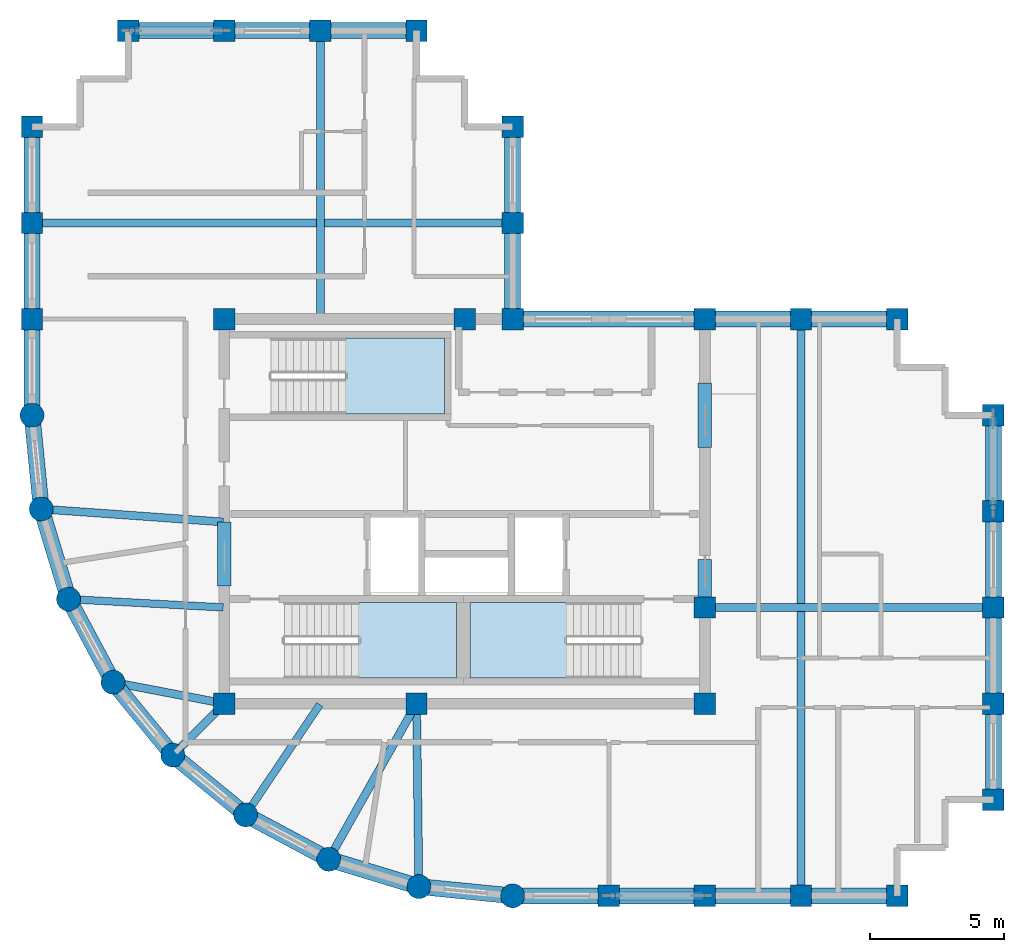
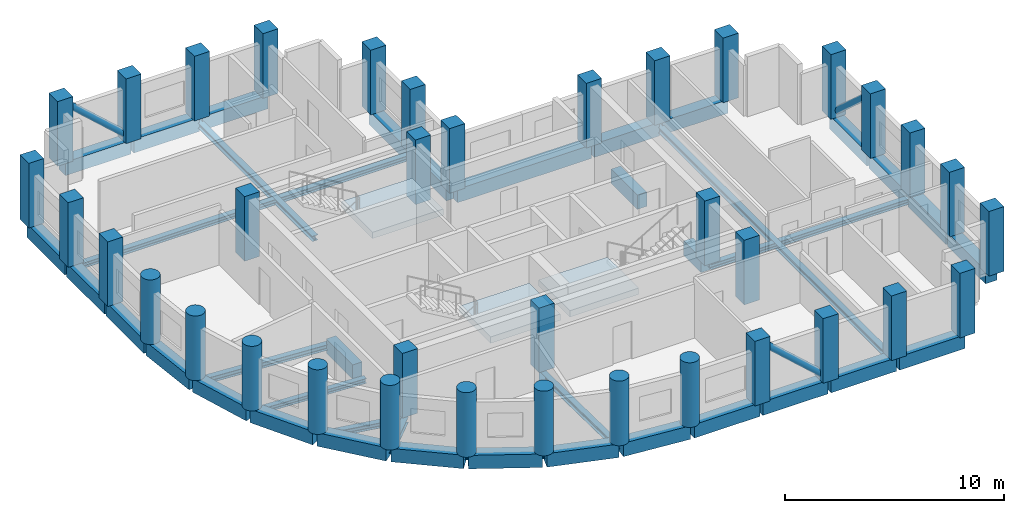
# One storey, part 1 of 6: 41 beams, 37 columns, 3 members, 3 slabs, 3 elements without a shape of their own.
"""IFC4 building model written with IfcOpenShell, lengths in metres."""

from ifc_helpers import new_model, si_unit, direction, frame, origin, origin_2d, place, context, subcontext, project, spatial, polyline, rectangle, circle, hollow_circle, i_section, outline, extrude, material, layer, layer_set, material_profile, profile_set, type_object, element, aggregate, save


model = new_model("IFC4")

# Units and contexts
model_context = context("Model", 3, precision=1e-05, world=origin(), true_north=direction((0.0, 1.0)))
body_context = subcontext(model_context, "Body", "Model", "MODEL_VIEW")
ifc_project = project(units=[si_unit("LENGTHUNIT", "METRE"), si_unit("AREAUNIT", "SQUARE_METRE"), si_unit("VOLUMEUNIT", "CUBIC_METRE"), si_unit("PLANEANGLEUNIT", "RADIAN"), si_unit("MASSUNIT", "GRAM", prefix="KILO")], contexts=[model_context])

# Site, building, storey
site_placement = place(None, origin())
site = spatial("IfcSite", under=ifc_project, at=site_placement, CompositionType="ELEMENT")
building_placement = place(site_placement, origin())
building = spatial("IfcBuilding", under=site, at=building_placement, Name="Solnavia Interchange Tower", CompositionType="ELEMENT")
storey_placement = place(building_placement, frame((0.0, 0.0, 231.800048828125)))
storey = spatial("IfcBuildingStorey", under=building, at=storey_placement, Name="L58", CompositionType="ELEMENT", Elevation=231.800048828125)

# Columns
ifc_material_1 = material(Name="Concrete C50/60", Category="concrete")
ifc_material_profile_1 = material_profile(ifc_material_1, rectangle(XDim=0.800048828125, YDim=0.800048828125, at=origin_2d()), Name="RC 800x800")
ifc_profile_set_1 = profile_set([ifc_material_profile_1], Name="Concrete C50/60")
column_type_1 = type_object("IfcColumnType", Name="Col-RC-800x800", PredefinedType="COLUMN", material=ifc_profile_set_1)
for number, where, z_axis, x_axis, name in (
    (1, (7.199951171875, 25.199951171875, 0.0), (0.0, 0.0, 1.0), (0.0, 1.0, 0.0), "COL-L58-02 Tower perim y column"),
    (2, (7.199951171875, 28.800048828125, 0.0), (0.0, 0.0, 1.0), (0.0, 1.0, 0.0), "COL-L58-03 Tower perim y column"),
    (3, (7.199951171875, 32.39990234375, 0.0), (0.0, 0.0, 1.0), (0.0, 1.0, 0.0), "COL-L58-04 Tower corner column"),
    (4, (10.800048828125, 36.0, 0.0), (0.0, 0.0, 1.0), (1.0, 0.0, 0.0), "COL-L58-08 Tower corner column"),
    (5, (14.39990234375, 10.800048828125, 0.0), (0.0, 0.0, 1.0), (1.0, 0.0, 0.0), "COL-L58-10 Tower interior column"),
    (6, (14.39990234375, 25.199951171875, 0.0), (0.0, 0.0, 1.0), (1.0, 0.0, 0.0), "COL-L58-11 Tower interior column"),
    (7, (14.39990234375, 36.0, 0.0), (0.0, 0.0, 1.0), (1.0, 0.0, 0.0), "COL-L58-12 Tower perim x column"),
    (8, (18.0, 36.0, 0.0), (0.0, 0.0, 1.0), (1.0, 0.0, 0.0), "COL-L58-14 Tower perim x column"),
    (9, (21.60009765625, 10.800048828125, 0.0), (0.0, 0.0, 1.0), (1.0, 0.0, 0.0), "COL-L58-16 Tower interior column"),
    (10, (21.60009765625, 36.0, 0.0), (0.0, 0.0, 1.0), (1.0, 0.0, 0.0), "COL-L58-17 Tower corner column"),
    (11, (23.39990234375, 25.199951171875, 0.0), (0.0, 0.0, 1.0), (1.0, 0.0, 0.0), "COL-L58-19 Tower interior column"),
    (12, (25.199951171875, 25.199951171875, 0.0), (0.0, 0.0, 1.0), (1.0, 0.0, 0.0), "COL-L58-21 Tower interior column"),
    (13, (25.199951171875, 28.800048828125, 0.0), (0.0, 0.0, 1.0), (0.0, 1.0, 0.0), "COL-L58-22 Tower perim y column"),
    (14, (25.199951171875, 32.39990234375, 0.0), (0.0, 0.0, 1.0), (0.0, 1.0, 0.0), "COL-L58-23 Tower corner column"),
    (15, (28.800048828125, 3.60009765625, 0.0), (0.0, 0.0, 1.0), (1.0, 0.0, 0.0), "COL-L58-24 Tower perim x column"),
    (16, (32.39990234375, 3.60009765625, 0.0), (0.0, 0.0, 1.0), (1.0, 0.0, 0.0), "COL-L58-25 Tower perim x column"),
    (17, (32.39990234375, 10.800048828125, 0.0), (0.0, 0.0, 1.0), (1.0, 0.0, 0.0), "COL-L58-26 Tower interior column"),
    (18, (32.39990234375, 14.39990234375, 0.0), (0.0, 0.0, 1.0), (1.0, 0.0, 0.0), "COL-L58-27 Tower interior column"),
    (19, (32.39990234375, 25.199951171875, 0.0), (0.0, 0.0, 1.0), (1.0, 0.0, 0.0), "COL-L58-28 Tower interior column"),
    (20, (36.0, 3.60009765625, 0.0), (0.0, 0.0, 1.0), (1.0, 0.0, 0.0), "COL-L58-29 Tower perim x column"),
    (21, (36.0, 25.199951171875, 0.0), (0.0, 0.0, 1.0), (1.0, 0.0, 0.0), "COL-L58-30 Tower perim x column"),
    (22, (39.60009765625, 3.60009765625, 0.0), (0.0, 0.0, 1.0), (1.0, 0.0, 0.0), "COL-L58-31 Tower corner column"),
    (23, (39.60009765625, 25.199951171875, 0.0), (0.0, 0.0, 1.0), (1.0, 0.0, 0.0), "COL-L58-32 Tower corner column"),
    (24, (43.199951171875, 7.199951171875, 0.0), (0.0, 0.0, 1.0), (1.0, 0.0, 0.0), "COL-L58-33 Tower corner column"),
    (25, (43.199951171875, 10.800048828125, 0.0), (0.0, 0.0, 1.0), (0.0, 1.0, 0.0), "COL-L58-34 Tower perim y column"),
    (26, (43.199951171875, 14.39990234375, 0.0), (0.0, 0.0, 1.0), (0.0, 1.0, 0.0), "COL-L58-35 Tower perim y column"),
    (27, (43.199951171875, 18.0, 0.0), (0.0, 0.0, 1.0), (0.0, 1.0, 0.0), "COL-L58-36 Tower perim y column"),
    (28, (43.199951171875, 21.60009765625, 0.0), (0.0, 0.0, 1.0), (0.0, 1.0, 0.0), "COL-L58-37 Tower corner column"),
):
    element("IfcColumn", number, at=place(storey_placement, frame(where, z_axis=z_axis, x_axis=x_axis)), inside=storey, type_object=column_type_1, Name=name, PredefinedType="COLUMN", context=body_context, shape_type="SweptSolid", body=[
        extrude(rectangle(XDim=0.800048828125, YDim=0.800048828125, at=origin_2d()), origin(), (0.0, 0.0, 1.0), 3.599853515625),
    ])
ifc_material_profile_2 = material_profile(ifc_material_1, circle(Radius=0.449951171875, at=origin_2d()), Name="RC D900")
ifc_profile_set_2 = profile_set([ifc_material_profile_2], Name="Concrete C50/60")
column_type_2 = type_object("IfcColumnType", Name="Col-RC-D900", PredefinedType="COLUMN", material=ifc_profile_set_2)
for number, where, z_axis, x_axis, name in (
    (29, (7.199951171875, 21.60009765625, 0.0), (0.0, 0.0, 1.0), (1.0, 0.0, 0.0), "COL-L58-01 Tower drum column"),
    (30, (7.5458984375, 18.087890625, 0.0), (0.0, 0.0, 1.0), (1.0, 0.0, 0.0), "COL-L58-05 Tower drum column"),
    (31, (8.570068359375, 14.7119140625, 0.0), (0.0, 0.0, 1.0), (1.0, 0.0, 0.0), "COL-L58-06 Tower drum column"),
    (32, (10.23388671875, 11.60009765625, 0.0), (0.0, 0.0, 1.0), (1.0, 0.0, 0.0), "COL-L58-07 Tower drum column"),
    (33, (12.471923828125, 8.8720703125, 0.0), (0.0, 0.0, 1.0), (1.0, 0.0, 0.0), "COL-L58-09 Tower drum column"),
    (34, (15.199951171875, 6.634033203125, 0.0), (0.0, 0.0, 1.0), (1.0, 0.0, 0.0), "COL-L58-13 Tower drum column"),
    (35, (18.31201171875, 4.969970703125, 0.0), (0.0, 0.0, 1.0), (1.0, 0.0, 0.0), "COL-L58-15 Tower drum column"),
    (36, (21.68798828125, 3.946044921875, 0.0), (0.0, 0.0, 1.0), (1.0, 0.0, 0.0), "COL-L58-18 Tower drum column"),
    (37, (25.199951171875, 3.60009765625, 0.0), (0.0, 0.0, 1.0), (1.0, 0.0, 0.0), "COL-L58-20 Tower drum column"),
):
    element("IfcColumn", number, at=place(storey_placement, frame(where, z_axis=z_axis, x_axis=x_axis)), inside=storey, type_object=column_type_2, Name=name, PredefinedType="COLUMN", context=body_context, shape_type="SweptSolid", body=[
        extrude(circle(Radius=0.449951171875, at=origin_2d()), origin(), (0.0, 0.0, 1.0), 3.599853515625),
    ])

# Beams
ifc_material_profile_3 = material_profile(ifc_material_1, rectangle(XDim=0.5, YDim=0.800048828125, at=origin_2d()), Name="RC 500x800")
ifc_profile_set_3 = profile_set([ifc_material_profile_3], Name="Concrete C50/60")
beam_type_1 = type_object("IfcBeamType", Name="Beam-Coupling-RC500x800", PredefinedType="LINTEL", material=ifc_profile_set_3)
beam_1_placement = place(storey_placement, frame((14.39990234375, 15.199951171875, -0.400146484375), z_axis=(0.0, 1.0, 0.0), x_axis=(-1.0, 0.0, 0.0)))
element("IfcBeam", 38, at=beam_1_placement, inside=storey, type_object=beam_type_1, Name="CPB-L58-W1 Core coupling lintel beam", PredefinedType="LINTEL", context=body_context, shape_type="SweptSolid", body=[
    extrude(rectangle(XDim=0.5, YDim=0.800048828125, at=origin_2d()), origin(), (0.0, 0.0, 1.0), 2.400146484375),
])
beam_2_placement = place(storey_placement, frame((32.39990234375, 14.60009765625, -0.400146484375), z_axis=(0.0, 1.0, 0.0), x_axis=(-1.0, 0.0, 0.0)))
element("IfcBeam", 39, at=beam_2_placement, inside=storey, type_object=beam_type_1, Name="CPB-L58-E1 Core coupling lintel beam", PredefinedType="LINTEL", context=body_context, shape_type="SweptSolid", body=[
    extrude(rectangle(XDim=0.5, YDim=0.800048828125, at=origin_2d()), origin(), (0.0, 0.0, 1.0), 1.599853515625),
])
beam_3_placement = place(storey_placement, frame((32.39990234375, 20.39990234375, -0.400146484375), z_axis=(0.0, 1.0, 0.0), x_axis=(-1.0, 0.0, 0.0)))
element("IfcBeam", 40, at=beam_3_placement, inside=storey, type_object=beam_type_1, Name="CPB-L58-E2 Core coupling lintel beam", PredefinedType="LINTEL", context=body_context, shape_type="SweptSolid", body=[
    extrude(rectangle(XDim=0.5, YDim=0.800048828125, at=origin_2d()), origin(), (0.0, 0.0, 1.0), 2.400146484375),
])
ifc_material_2 = material(Name="Steel S460", Category="steel")
ifc_material_profile_4 = material_profile(ifc_material_2, i_section(OverallWidth=0.300048828125, OverallDepth=0.300048828125, WebThickness=0.010986328125, FlangeThickness=0.01904296875, FilletRadius=0.027099609375, at=origin_2d()), Name="HEB 300")
ifc_profile_set_4 = profile_set([ifc_material_profile_4], Name="Steel S460")
beam_type_2 = type_object("IfcBeamType", Name="Beam-Girder-HEB300", PredefinedType="BEAM", material=ifc_profile_set_4)
beam_4_placement = place(storey_placement, frame((32.47998046875, 14.39990234375, -0.400146484375), z_axis=(1.0, 0.0, 0.0), x_axis=(0.0, 1.0, 0.0)))
element("IfcBeam", 41, at=beam_4_placement, inside=storey, type_object=beam_type_2, Name="GRD-L58-ES01 East wing spine girder", PredefinedType="BEAM", context=body_context, shape_type="SweptSolid", body=[
    extrude(i_section(OverallWidth=0.300048828125, OverallDepth=0.300048828125, WebThickness=0.010986328125, FlangeThickness=0.01904296875, FilletRadius=0.027099609375, at=origin_2d()), origin(), (0.0, 0.0, 1.0), 10.64013671875),
])
beam_5_placement = place(storey_placement, frame((18.0, 25.280029296875, -0.400146484375), z_axis=(0.0, 1.0, 0.0), x_axis=(-1.0, 0.0, 0.0)))
element("IfcBeam", 42, at=beam_5_placement, inside=storey, type_object=beam_type_2, Name="GRD-L58-NS03 North wing spine girder", PredefinedType="BEAM", context=body_context, shape_type="SweptSolid", body=[
    extrude(i_section(OverallWidth=0.300048828125, OverallDepth=0.300048828125, WebThickness=0.010986328125, FlangeThickness=0.01904296875, FilletRadius=0.027099609375, at=origin_2d()), origin(), (0.0, 0.0, 1.0), 10.639892578125),
])
beam_6_placement = place(storey_placement, frame((7.280029296875, 28.800048828125, -0.400146484375), z_axis=(1.0, 0.0, 0.0), x_axis=(0.0, 1.0, 0.0)))
element("IfcBeam", 43, at=beam_6_placement, inside=storey, type_object=beam_type_2, Name="GRD-L58-NW04 North wing primary floor girder", PredefinedType="BEAM", context=body_context, shape_type="SweptSolid", body=[
    extrude(i_section(OverallWidth=0.300048828125, OverallDepth=0.300048828125, WebThickness=0.010986328125, FlangeThickness=0.01904296875, FilletRadius=0.027099609375, at=origin_2d()), origin(), (0.0, 0.0, 1.0), 17.840087890625),
])
beam_7_placement = place(storey_placement, frame((10.3125, 11.5849609375, -0.400146484375), z_axis=(0.982057527796, -0.188581579428, 0.0), x_axis=(0.188581579428, 0.982057527796, 0.0)))
element("IfcBeam", 44, at=beam_7_placement, inside=storey, type_object=beam_type_2, Name="GRD-L58-DR07 Drum radial floor girder", PredefinedType="BEAM", context=body_context, shape_type="SweptSolid", body=[
    extrude(i_section(OverallWidth=0.300048828125, OverallDepth=0.300048828125, WebThickness=0.010986328125, FlangeThickness=0.01904296875, FilletRadius=0.027099609375, at=origin_2d()), origin(), (0.0, 0.0, 1.0), 4.1220703125),
])
beam_8_placement = place(storey_placement, frame((18.351318359375, 5.039794921875, -0.400146484375), z_axis=(0.491243158486, 0.871022479182, 0.0), x_axis=(-0.871022479182, 0.491243158486, 0.0)))
element("IfcBeam", 45, at=beam_8_placement, inside=storey, type_object=beam_type_2, Name="GRD-L58-DR10 Drum radial floor girder", PredefinedType="BEAM", context=body_context, shape_type="SweptSolid", body=[
    extrude(i_section(OverallWidth=0.300048828125, OverallDepth=0.300048828125, WebThickness=0.010986328125, FlangeThickness=0.01904296875, FilletRadius=0.027099609375, at=origin_2d()), origin(), (0.0, 0.0, 1.0), 6.5732421875),
])
ifc_material_3 = material(Name="Steel S355", Category="steel")
ifc_material_profile_5 = material_profile(ifc_material_3, i_section(OverallWidth=0.280029296875, OverallDepth=0.27001953125, WebThickness=0.008056640625, FlangeThickness=0.012939453125, FilletRadius=0.02392578125, at=origin_2d()), Name="HEA 280")
ifc_profile_set_5 = profile_set([ifc_material_profile_5], Name="Steel S355")
beam_type_3 = type_object("IfcBeamType", Name="Beam-Primary-HEA280", PredefinedType="BEAM", material=ifc_profile_set_5)
beam_9_placement = place(storey_placement, frame((8.64990234375, 14.707763671875, -0.385009765625), z_axis=(0.998570371303, -0.053452909696, 0.0), x_axis=(0.053452909696, 0.998570371303, 0.0)))
element("IfcBeam", 46, at=beam_9_placement, inside=storey, type_object=beam_type_3, Name="GRD-L58-DR06 Drum radial floor girder", PredefinedType="BEAM", context=body_context, shape_type="SweptSolid", body=[
    extrude(i_section(OverallWidth=0.280029296875, OverallDepth=0.27001953125, WebThickness=0.008056640625, FlangeThickness=0.012939453125, FilletRadius=0.02392578125, at=origin_2d()), origin(), (0.0, 0.0, 1.0), 5.71826171875),
])
beam_10_placement = place(storey_placement, frame((15.24462890625, 6.700439453125, -0.385009765625), z_axis=(0.557835474219, 0.829951555033, 0.0), x_axis=(-0.829951555033, 0.557835474219, 0.0)))
element("IfcBeam", 47, at=beam_10_placement, inside=storey, type_object=beam_type_3, Name="GRD-L58-DR09 Drum radial floor girder", PredefinedType="BEAM", context=body_context, shape_type="SweptSolid", body=[
    extrude(i_section(OverallWidth=0.280029296875, OverallDepth=0.27001953125, WebThickness=0.008056640625, FlangeThickness=0.012939453125, FilletRadius=0.02392578125, at=origin_2d()), origin(), (0.0, 0.0, 1.0), 4.899658203125),
])
ifc_material_profile_6 = material_profile(ifc_material_3, i_section(OverallWidth=0.300048828125, OverallDepth=0.31005859375, WebThickness=0.009033203125, FlangeThickness=0.015380859375, FilletRadius=0.027099609375, at=origin_2d()), Name="HEA 320")
ifc_profile_set_6 = profile_set([ifc_material_profile_6], Name="Steel S355")
beam_type_4 = type_object("IfcBeamType", Name="Beam-Primary-HEA320", PredefinedType="BEAM", material=ifc_profile_set_6)
beam_11_placement = place(storey_placement, frame((36.0, 3.679931640625, -0.405029296875), z_axis=(0.0, 1.0, 0.0), x_axis=(-1.0, 0.0, 0.0)))
element("IfcBeam", 48, at=beam_11_placement, inside=storey, type_object=beam_type_4, Name="GRD-L58-EW02 East wing primary floor girder", PredefinedType="BEAM", context=body_context, shape_type="SweptSolid", body=[
    extrude(i_section(OverallWidth=0.300048828125, OverallDepth=0.31005859375, WebThickness=0.009033203125, FlangeThickness=0.015380859375, FilletRadius=0.027099609375, at=origin_2d()), origin(), (0.0, 0.0, 1.0), 21.440185546875),
])
beam_12_placement = place(storey_placement, frame((7.625732421875, 18.082275390625, -0.405029296875), z_axis=(0.99747482749, -0.071020902015, 0.0), x_axis=(0.071020902015, 0.99747482749, 0.0)))
element("IfcBeam", 49, at=beam_12_placement, inside=storey, type_object=beam_type_4, Name="GRD-L58-DR05 Drum radial floor girder", PredefinedType="BEAM", context=body_context, shape_type="SweptSolid", body=[
    extrude(i_section(OverallWidth=0.300048828125, OverallDepth=0.31005859375, WebThickness=0.009033203125, FlangeThickness=0.015380859375, FilletRadius=0.027099609375, at=origin_2d()), origin(), (0.0, 0.0, 1.0), 6.75146484375),
])
beam_13_placement = place(storey_placement, frame((12.528564453125, 8.9287109375, -0.405029296875), z_axis=(0.707106781187, 0.707106781187, 0.0), x_axis=(-0.707106781187, 0.707106781187, 0.0)))
element("IfcBeam", 50, at=beam_13_placement, inside=storey, type_object=beam_type_4, Name="GRD-L58-DR08 Drum radial floor girder", PredefinedType="BEAM", context=body_context, shape_type="SweptSolid", body=[
    extrude(i_section(OverallWidth=0.300048828125, OverallDepth=0.31005859375, WebThickness=0.009033203125, FlangeThickness=0.015380859375, FilletRadius=0.027099609375, at=origin_2d()), origin(), (0.0, 0.0, 1.0), 2.6064453125),
])
beam_14_placement = place(storey_placement, frame((21.68701171875, 4.02587890625, -0.405029296875), z_axis=(-0.01283293513, 0.999917654498, 0.0), x_axis=(-0.999917654498, -0.01283293513, 0.0)))
element("IfcBeam", 51, at=beam_14_placement, inside=storey, type_object=beam_type_4, Name="GRD-L58-DR11 Drum radial floor girder", PredefinedType="BEAM", context=body_context, shape_type="SweptSolid", body=[
    extrude(i_section(OverallWidth=0.300048828125, OverallDepth=0.31005859375, WebThickness=0.009033203125, FlangeThickness=0.015380859375, FilletRadius=0.027099609375, at=origin_2d()), origin(), (0.0, 0.0, 1.0), 6.734619140625),
])
ifc_material_profile_7 = material_profile(ifc_material_1, rectangle(XDim=0.60009765625, YDim=0.75, at=origin_2d()), Name="RC 600x750")
ifc_profile_set_7 = profile_set([ifc_material_profile_7], Name="Concrete C50/60")
beam_type_5 = type_object("IfcBeamType", Name="Beam-Spandrel-RC600x750", PredefinedType="SPANDREL", material=ifc_profile_set_7)
beam_15_placement = place(storey_placement, frame((7.207763671875, 21.5205078125, -0.375), z_axis=(0.098040038117, -0.995182471171, 0.0), x_axis=(0.995182471171, 0.098040038117, 0.0)))
element("IfcBeam", 52, at=beam_15_placement, inside=storey, type_object=beam_type_5, Name="SPB-L58-01 Framed-tube perimeter spandrel beam", PredefinedType="SPANDREL", context=body_context, shape_type="SweptSolid", body=[
    extrude(rectangle(XDim=0.60009765625, YDim=0.75, at=origin_2d()), origin(), (0.0, 0.0, 1.0), 3.369140625),
])
beam_16_placement = place(storey_placement, frame((7.569091796875, 18.011474609375, -0.375), z_axis=(0.290319223646, -0.956929855518, 0.0), x_axis=(0.956929855518, 0.290319223646, 0.0)))
element("IfcBeam", 53, at=beam_16_placement, inside=storey, type_object=beam_type_5, Name="SPB-L58-02 Framed-tube perimeter spandrel beam", PredefinedType="SPANDREL", context=body_context, shape_type="SweptSolid", body=[
    extrude(rectangle(XDim=0.60009765625, YDim=0.75, at=origin_2d()), origin(), (0.0, 0.0, 1.0), 3.367919921875),
])
beam_17_placement = place(storey_placement, frame((8.607666015625, 14.6416015625, -0.375), z_axis=(0.471509422952, -0.881861023102, 0.0), x_axis=(0.881861023102, 0.471509422952, 0.0)))
element("IfcBeam", 54, at=beam_17_placement, inside=storey, type_object=beam_type_5, Name="SPB-L58-03 Framed-tube perimeter spandrel beam", PredefinedType="SPANDREL", context=body_context, shape_type="SweptSolid", body=[
    extrude(rectangle(XDim=0.60009765625, YDim=0.75, at=origin_2d()), origin(), (0.0, 0.0, 1.0), 3.369140625),
])
for number, where, z_axis, x_axis, name in (
    (55, (10.28466796875, 11.5380859375, -0.375), (0.634298841675, -0.773087950656, 0.0), (0.773087950656, 0.634298841675, 0.0), "SPB-L58-04 Framed-tube perimeter spandrel beam"),
    (56, (12.53369140625, 8.8212890625, -0.375), (0.773152644452, -0.634219984214, 0.0), (0.634219984214, 0.773152644452, 0.0), "SPB-L58-05 Framed-tube perimeter spandrel beam"),
):
    element("IfcBeam", number, at=place(storey_placement, frame(where, z_axis=z_axis, x_axis=x_axis)), inside=storey, type_object=beam_type_5, Name=name, PredefinedType="SPANDREL", context=body_context, shape_type="SweptSolid", body=[
        extrude(rectangle(XDim=0.60009765625, YDim=0.75, at=origin_2d()), origin(), (0.0, 0.0, 1.0), 3.36865234375),
    ])
beam_18_placement = place(storey_placement, frame((15.2705078125, 6.59619140625, -0.375), z_axis=(0.881875044348, -0.47148319817, 0.0), x_axis=(0.47148319817, 0.881875044348, 0.0)))
element("IfcBeam", 57, at=beam_18_placement, inside=storey, type_object=beam_type_5, Name="SPB-L58-06 Framed-tube perimeter spandrel beam", PredefinedType="SPANDREL", context=body_context, shape_type="SweptSolid", body=[
    extrude(rectangle(XDim=0.60009765625, YDim=0.75, at=origin_2d()), origin(), (0.0, 0.0, 1.0), 3.368896484375),
])
beam_19_placement = place(storey_placement, frame((18.388671875, 4.94677734375, -0.375), z_axis=(0.956943884494, -0.290272978297, 0.0), x_axis=(0.290272978297, 0.956943884494, 0.0)))
element("IfcBeam", 58, at=beam_19_placement, inside=storey, type_object=beam_type_5, Name="SPB-L58-07 Framed-tube perimeter spandrel beam", PredefinedType="SPANDREL", context=body_context, shape_type="SweptSolid", body=[
    extrude(rectangle(XDim=0.60009765625, YDim=0.75, at=origin_2d()), origin(), (0.0, 0.0, 1.0), 3.36767578125),
])
beam_20_placement = place(storey_placement, frame((21.767578125, 3.938232421875, -0.375), z_axis=(0.995181774609, -0.098047108501, 0.0), x_axis=(0.098047108501, 0.995181774609, 0.0)))
element("IfcBeam", 59, at=beam_20_placement, inside=storey, type_object=beam_type_5, Name="SPB-L58-08 Framed-tube perimeter spandrel beam", PredefinedType="SPANDREL", context=body_context, shape_type="SweptSolid", body=[
    extrude(rectangle(XDim=0.60009765625, YDim=0.75, at=origin_2d()), origin(), (0.0, 0.0, 1.0), 3.368896484375),
])
beam_21_placement = place(storey_placement, frame((25.280029296875, 3.60009765625, -0.375), z_axis=(1.0, 0.0, 0.0), x_axis=(0.0, 1.0, 0.0)))
element("IfcBeam", 60, at=beam_21_placement, inside=storey, type_object=beam_type_5, Name="SPB-L58-09 Framed-tube perimeter spandrel beam", PredefinedType="SPANDREL", context=body_context, shape_type="SweptSolid", body=[
    extrude(rectangle(XDim=0.60009765625, YDim=0.75, at=origin_2d()), origin(), (0.0, 0.0, 1.0), 3.43994140625),
])
beam_22_placement = place(storey_placement, frame((28.8798828125, 3.60009765625, -0.375), z_axis=(1.0, 0.0, 0.0), x_axis=(0.0, 1.0, 0.0)))
element("IfcBeam", 61, at=beam_22_placement, inside=storey, type_object=beam_type_5, Name="SPB-L58-10 Framed-tube perimeter spandrel beam", PredefinedType="SPANDREL", context=body_context, shape_type="SweptSolid", body=[
    extrude(rectangle(XDim=0.60009765625, YDim=0.75, at=origin_2d()), origin(), (0.0, 0.0, 1.0), 3.440185546875),
])
for number, where, z_axis, x_axis, name in (
    (62, (32.47998046875, 3.60009765625, -0.375), (1.0, 0.0, 0.0), (0.0, 1.0, 0.0), "SPB-L58-11 Framed-tube perimeter spandrel beam"),
    (63, (36.080078125, 3.60009765625, -0.375), (1.0, 0.0, 0.0), (0.0, 1.0, 0.0), "SPB-L58-12 Framed-tube perimeter spandrel beam"),
    (64, (43.199951171875, 7.280029296875, -0.375), (0.0, 1.0, 0.0), (-1.0, 0.0, 0.0), "SPB-L58-13 Framed-tube perimeter spandrel beam"),
):
    element("IfcBeam", number, at=place(storey_placement, frame(where, z_axis=z_axis, x_axis=x_axis)), inside=storey, type_object=beam_type_5, Name=name, PredefinedType="SPANDREL", context=body_context, shape_type="SweptSolid", body=[
        extrude(rectangle(XDim=0.60009765625, YDim=0.75, at=origin_2d()), origin(), (0.0, 0.0, 1.0), 3.43994140625),
    ])
beam_23_placement = place(storey_placement, frame((43.199951171875, 10.8798828125, -0.375), z_axis=(0.0, 1.0, 0.0), x_axis=(-1.0, 0.0, 0.0)))
element("IfcBeam", 65, at=beam_23_placement, inside=storey, type_object=beam_type_5, Name="SPB-L58-14 Framed-tube perimeter spandrel beam", PredefinedType="SPANDREL", context=body_context, shape_type="SweptSolid", body=[
    extrude(rectangle(XDim=0.60009765625, YDim=0.75, at=origin_2d()), origin(), (0.0, 0.0, 1.0), 3.440185546875),
])
for number, where, z_axis, x_axis, name in (
    (66, (43.199951171875, 14.47998046875, -0.375), (0.0, 1.0, 0.0), (-1.0, 0.0, 0.0), "SPB-L58-15 Framed-tube perimeter spandrel beam"),
    (67, (43.199951171875, 18.080078125, -0.375), (0.0, 1.0, 0.0), (-1.0, 0.0, 0.0), "SPB-L58-16 Framed-tube perimeter spandrel beam"),
    (68, (39.52001953125, 25.199951171875, -0.375), (-1.0, 0.0, 0.0), (0.0, -1.0, 0.0), "SPB-L58-17 Framed-tube perimeter spandrel beam"),
    (69, (35.919921875, 25.199951171875, -0.375), (-1.0, 0.0, 0.0), (0.0, -1.0, 0.0), "SPB-L58-18 Framed-tube perimeter spandrel beam"),
):
    element("IfcBeam", number, at=place(storey_placement, frame(where, z_axis=z_axis, x_axis=x_axis)), inside=storey, type_object=beam_type_5, Name=name, PredefinedType="SPANDREL", context=body_context, shape_type="SweptSolid", body=[
        extrude(rectangle(XDim=0.60009765625, YDim=0.75, at=origin_2d()), origin(), (0.0, 0.0, 1.0), 3.43994140625),
    ])
beam_24_placement = place(storey_placement, frame((32.320068359375, 25.199951171875, -0.375), z_axis=(-1.0, 0.0, 0.0), x_axis=(0.0, -1.0, 0.0)))
element("IfcBeam", 70, at=beam_24_placement, inside=storey, type_object=beam_type_5, Name="SPB-L58-19 Framed-tube perimeter spandrel beam", PredefinedType="SPANDREL", context=body_context, shape_type="SweptSolid", body=[
    extrude(rectangle(XDim=0.60009765625, YDim=0.75, at=origin_2d()), origin(), (0.0, 0.0, 1.0), 7.0400390625),
])
beam_25_placement = place(storey_placement, frame((25.199951171875, 25.280029296875, -0.375), z_axis=(0.0, 1.0, 0.0), x_axis=(-1.0, 0.0, 0.0)))
element("IfcBeam", 71, at=beam_25_placement, inside=storey, type_object=beam_type_5, Name="SPB-L58-20 Framed-tube perimeter spandrel beam", PredefinedType="SPANDREL", context=body_context, shape_type="SweptSolid", body=[
    extrude(rectangle(XDim=0.60009765625, YDim=0.75, at=origin_2d()), origin(), (0.0, 0.0, 1.0), 3.43994140625),
])
beam_26_placement = place(storey_placement, frame((25.199951171875, 28.8798828125, -0.375), z_axis=(0.0, 1.0, 0.0), x_axis=(-1.0, 0.0, 0.0)))
element("IfcBeam", 72, at=beam_26_placement, inside=storey, type_object=beam_type_5, Name="SPB-L58-21 Framed-tube perimeter spandrel beam", PredefinedType="SPANDREL", context=body_context, shape_type="SweptSolid", body=[
    extrude(rectangle(XDim=0.60009765625, YDim=0.75, at=origin_2d()), origin(), (0.0, 0.0, 1.0), 3.440185546875),
])
for number, where, z_axis, x_axis, name in (
    (73, (21.52001953125, 36.0, -0.375), (-1.0, 0.0, 0.0), (0.0, -1.0, 0.0), "SPB-L58-22 Framed-tube perimeter spandrel beam"),
    (74, (17.919921875, 36.0, -0.375), (-1.0, 0.0, 0.0), (0.0, -1.0, 0.0), "SPB-L58-23 Framed-tube perimeter spandrel beam"),
):
    element("IfcBeam", number, at=place(storey_placement, frame(where, z_axis=z_axis, x_axis=x_axis)), inside=storey, type_object=beam_type_5, Name=name, PredefinedType="SPANDREL", context=body_context, shape_type="SweptSolid", body=[
        extrude(rectangle(XDim=0.60009765625, YDim=0.75, at=origin_2d()), origin(), (0.0, 0.0, 1.0), 3.43994140625),
    ])
for number, where, z_axis, x_axis, name in (
    (75, (14.320068359375, 36.0, -0.375), (-1.0, 0.0, 0.0), (0.0, -1.0, 0.0), "SPB-L58-24 Framed-tube perimeter spandrel beam"),
    (76, (7.199951171875, 32.320068359375, -0.375), (0.0, -1.0, 0.0), (1.0, 0.0, 0.0), "SPB-L58-25 Framed-tube perimeter spandrel beam"),
):
    element("IfcBeam", number, at=place(storey_placement, frame(where, z_axis=z_axis, x_axis=x_axis)), inside=storey, type_object=beam_type_5, Name=name, PredefinedType="SPANDREL", context=body_context, shape_type="SweptSolid", body=[
        extrude(rectangle(XDim=0.60009765625, YDim=0.75, at=origin_2d()), origin(), (0.0, 0.0, 1.0), 3.440185546875),
    ])
beam_27_placement = place(storey_placement, frame((7.199951171875, 28.719970703125, -0.375), z_axis=(0.0, -1.0, 0.0), x_axis=(1.0, 0.0, 0.0)))
element("IfcBeam", 77, at=beam_27_placement, inside=storey, type_object=beam_type_5, Name="SPB-L58-26 Framed-tube perimeter spandrel beam", PredefinedType="SPANDREL", context=body_context, shape_type="SweptSolid", body=[
    extrude(rectangle(XDim=0.60009765625, YDim=0.75, at=origin_2d()), origin(), (0.0, 0.0, 1.0), 3.43994140625),
])
beam_28_placement = place(storey_placement, frame((7.199951171875, 25.1201171875, -0.375), z_axis=(0.0, -1.0, 0.0), x_axis=(1.0, 0.0, 0.0)))
element("IfcBeam", 78, at=beam_28_placement, inside=storey, type_object=beam_type_5, Name="SPB-L58-27 Framed-tube perimeter spandrel beam", PredefinedType="SPANDREL", context=body_context, shape_type="SweptSolid", body=[
    extrude(rectangle(XDim=0.60009765625, YDim=0.75, at=origin_2d()), origin(), (0.0, 0.0, 1.0), 3.440185546875),
])

# Members
ifc_material_profile_8 = material_profile(ifc_material_2, hollow_circle(Radius=0.177734375, WallThickness=0.01611328125, at=origin_2d()), Name="CHS 355.6x16")
ifc_profile_set_8 = profile_set([ifc_material_profile_8], Name="Steel S460")
member_type = type_object("IfcMemberType", Name="Brace-Perim-CHS355", PredefinedType="BRACE", material=ifc_profile_set_8)
for number, where, z_axis, x_axis, name in (
    (79, (32.260009765625, 3.60009765625, 0.179931640625), (-0.74307946371, 0.0, 0.669203190827), (0.0, -1.0, 0.0), "BRC-L58-01 Perimeter tube diagonal brace"),
    (80, (43.199951171875, 21.4599609375, 0.179931640625), (0.0, -0.74307946371, 0.669203190827), (1.0, 0.0, 0.0), "BRC-L58-02 Perimeter tube diagonal brace"),
    (81, (14.260009765625, 36.0, 0.179931640625), (-0.74307946371, 0.0, 0.669203190827), (0.0, -1.0, 0.0), "BRC-L58-03 Perimeter tube diagonal brace"),
):
    element("IfcMember", number, at=place(storey_placement, frame(where, z_axis=z_axis, x_axis=x_axis)), inside=storey, type_object=member_type, Name=name, PredefinedType="BRACE", context=body_context, shape_type="SweptSolid", body=[
        extrude(hollow_circle(Radius=0.177734375, WallThickness=0.01611328125, at=origin_2d()), origin(), (0.0, 0.0, 1.0), 4.468017578125),
    ])

# Stair, slab
ifc_material_4 = material(Name="Concrete C40/50", Category="concrete")
stair_type = type_object("IfcStairType", Name="Stair-Dogleg-RC", PredefinedType="HALF_TURN_STAIR", material=ifc_material_4)
stair_1_placement = place(storey_placement, origin())
stair_1 = element("IfcStair", 82, at=stair_1_placement, inside=storey, type_object=stair_type, Name="L58 Core exit stair 1", PredefinedType="HALF_TURN_STAIR")
ifc_layer = layer(ifc_material_4, 0.35009765625)
ifc_layer_set = layer_set([ifc_layer], Name="Concrete C40/50")
slab_type = type_object("IfcSlabType", Name="Slab-StairLanding-350", PredefinedType="LANDING", material=ifc_layer_set)
slab_1_placement = place(storey_placement, frame((0.0, 0.0, 1.449951171875)))
slab_1 = element("IfcSlab", 83, at=slab_1_placement, type_object=slab_type, Name="ST-1 landing 1", PredefinedType="LANDING", context=body_context, shape_type="SweptSolid", body=[
    extrude(outline(polyline([(19.427978515625, 11.75), (23.10009765625, 11.75), (23.10009765625, 14.590087890625), (19.427978515625, 14.590087890625), (19.427978515625, 11.75)])), origin(), (0.0, 0.0, 1.0), 0.35009765625),
])
aggregate(stair_1, [slab_1])

stair_2_placement = place(storey_placement, origin())
stair_2 = element("IfcStair", 84, at=stair_2_placement, inside=storey, type_object=stair_type, Name="L58 Core exit stair 2", PredefinedType="HALF_TURN_STAIR")
slab_2_placement = place(storey_placement, frame((0.0, 0.0, 1.449951171875)))
slab_2 = element("IfcSlab", 85, at=slab_2_placement, type_object=slab_type, Name="ST-2 landing 1", PredefinedType="LANDING", context=body_context, shape_type="SweptSolid", body=[
    extrude(outline(polyline([(23.60009765625, 11.75), (27.221923828125, 11.75), (27.221923828125, 14.590087890625), (23.60009765625, 14.590087890625), (23.60009765625, 11.75)])), origin(), (0.0, 0.0, 1.0), 0.35009765625),
])
aggregate(stair_2, [slab_2])

stair_3_placement = place(storey_placement, origin())
stair_3 = element("IfcStair", 86, at=stair_3_placement, inside=storey, type_object=stair_type, Name="L58 Core exit stair 3", PredefinedType="HALF_TURN_STAIR")
slab_3_placement = place(storey_placement, frame((0.0, 0.0, 1.449951171875)))
slab_3 = element("IfcSlab", 87, at=slab_3_placement, type_object=slab_type, Name="ST-3 landing 1", PredefinedType="LANDING", context=body_context, shape_type="SweptSolid", body=[
    extrude(outline(polyline([(18.927978515625, 21.64990234375), (22.64990234375, 21.64990234375), (22.64990234375, 24.489990234375), (18.927978515625, 24.489990234375), (18.927978515625, 21.64990234375)])), origin(), (0.0, 0.0, 1.0), 0.35009765625),
])
aggregate(stair_3, [slab_3])

save(model, "model.ifc")
